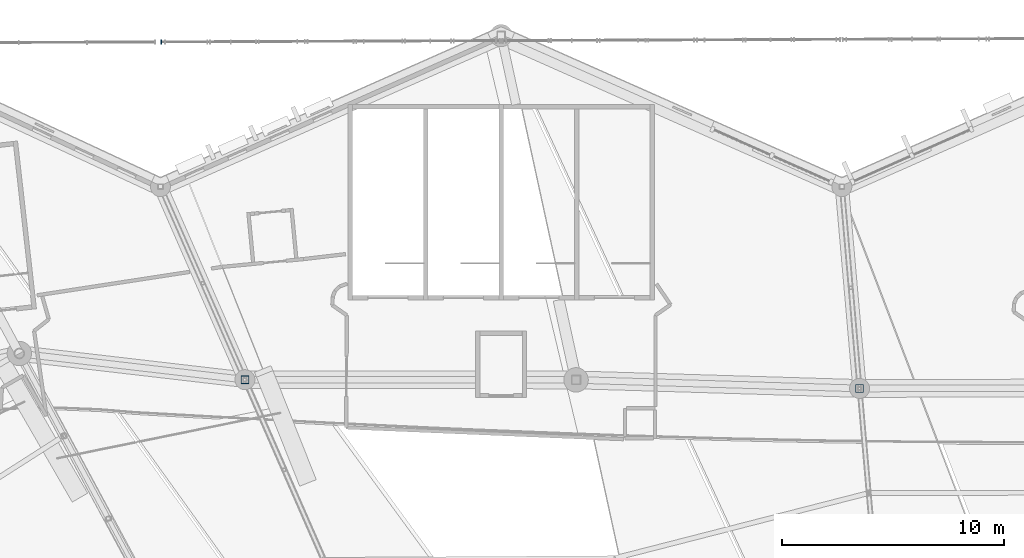
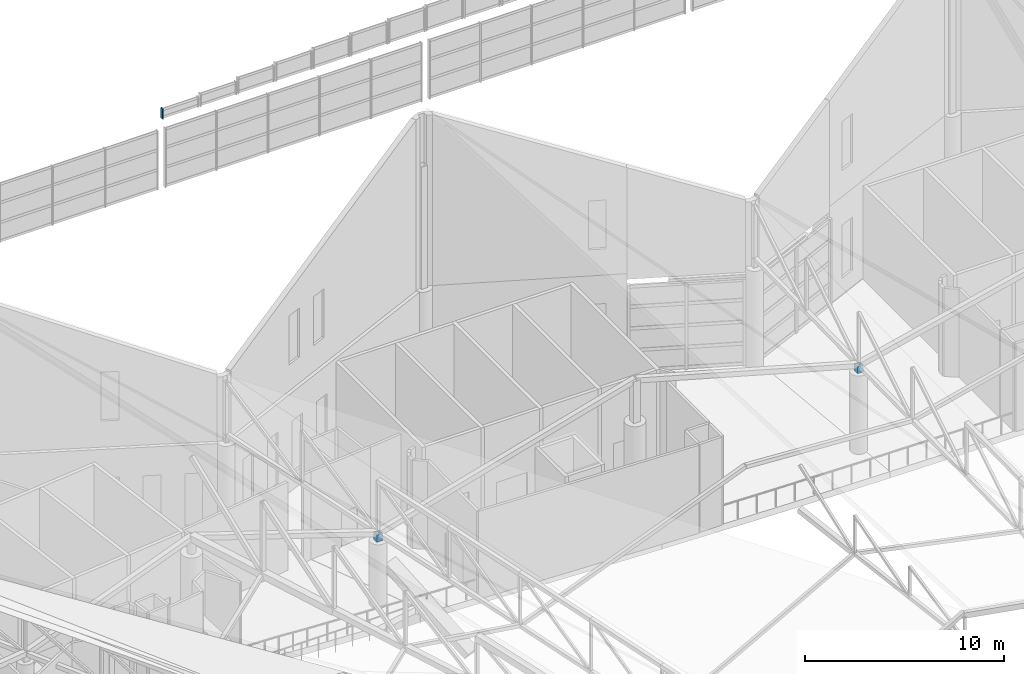
# One storey, part 219 of 344: 3 members, 1 element without a shape of its own.
"""IFC4 building model written with IfcOpenShell, lengths in metres."""

from ifc_helpers import new_model, si_unit, direction, frame, origin, origin_2d, place, context, subcontext, project, spatial, rectangle, hollow_rectangle, extrude, material, layer, layer_set, material_profile, profile_set, type_object, element, aggregate, save


model = new_model("IFC4")

# Units and contexts
model_context = context("Model", 3, precision=1e-05, world=origin(), true_north=direction((0.0, 1.0)))
body_context = subcontext(model_context, "Body", "Model", "MODEL_VIEW")
ifc_project = project(units=[si_unit("LENGTHUNIT", "METRE"), si_unit("AREAUNIT", "SQUARE_METRE"), si_unit("VOLUMEUNIT", "CUBIC_METRE"), si_unit("PLANEANGLEUNIT", "RADIAN"), si_unit("MASSUNIT", "GRAM", prefix="KILO")], contexts=[model_context])

# Site, building, storey
site_placement = place(None, origin())
site = spatial("IfcSite", under=ifc_project, at=site_placement, CompositionType="ELEMENT")
building_placement = place(site_placement, origin())
building = spatial("IfcBuilding", under=site, at=building_placement, Name="Meseta Stadium", CompositionType="ELEMENT")
storey_placement = place(building_placement, frame((0.0, 0.0, 24.0)))
storey = spatial("IfcBuildingStorey", under=building, at=storey_placement, Name="L04", CompositionType="ELEMENT", Elevation=24.0)

# Curtain wall, member
ifc_material_1 = material(Name="Aluminium", Category="aluminium")
ifc_layer = layer(ifc_material_1, 0.199951171875)
ifc_layer_set = layer_set([ifc_layer], Name="Gable glazing curtain wall")
curtain_wall_type = type_object("IfcCurtainWallType", Name="Gable glazing curtain wall", PredefinedType="NOTDEFINED", material=ifc_layer_set)
curtain_wall_placement = place(storey_placement, origin())
curtain_wall = element("IfcCurtainWall", 1, at=curtain_wall_placement, inside=storey, type_object=curtain_wall_type, Name="Gable glazing north bay 35", PredefinedType="NOTDEFINED")
ifc_material_2 = material(Name="Aluminium", Category="aluminium")
ifc_material_profile_1 = material_profile(ifc_material_2, rectangle(XDim=0.199951171875, YDim=0.06005859375, at=origin_2d()), Name="CW 200x60")
ifc_profile_set_1 = profile_set([ifc_material_profile_1], Name="Aluminium")
member_type_1 = type_object("IfcMemberType", Name="CW mullion 60x200", PredefinedType="MULLION", material=ifc_profile_set_1)
member_1_placement = place(storey_placement, frame((-38.29638671875, 105.105224609375, 21.85498046875), z_axis=(0.0, 0.0, 1.0), x_axis=(0.003847534181, -0.999992598213, 0.0)))
member_1 = element("IfcMember", 2, at=member_1_placement, type_object=member_type_1, Name="CWG mullion 2", PredefinedType="MULLION", context=body_context, shape_type="SweptSolid", body=[
    extrude(rectangle(XDim=0.199951171875, YDim=0.06005859375, at=origin_2d()), origin(), (0.0, 0.0, 1.0), 0.623779296875),
])
aggregate(curtain_wall, [member_1])

# Members
ifc_material_3 = material(Name="Steel S355", Category="steel")
ifc_material_profile_2 = material_profile(ifc_material_3, hollow_rectangle(XDim=0.35009765625, YDim=0.35009765625, WallThickness=0.010009765625, at=origin_2d()), Name="SHS 350x350x10")
ifc_profile_set_2 = profile_set([ifc_material_profile_2], Name="Steel S355")
member_type_2 = type_object("IfcMemberType", Name="SHS 350x350x10 pedestal", PredefinedType="POST", material=ifc_profile_set_2)
member_2_placement = place(storey_placement, frame((-6.870849609375, 89.517822265625, 4.800048828125), z_axis=(0.0, 0.0, 1.0), x_axis=(1.0, 0.0, 0.0)))
element("IfcMember", 3, at=member_2_placement, inside=storey, type_object=member_type_2, Name="ROOF TRUSS RT-19 pedestal", PredefinedType="POST", context=body_context, shape_type="SweptSolid", body=[
    extrude(hollow_rectangle(XDim=0.35009765625, YDim=0.35009765625, WallThickness=0.010009765625, at=origin_2d()), origin(), (0.0, 0.0, 1.0), 0.41259765625),
])
member_3_placement = place(storey_placement, frame((-34.53076171875, 89.911865234375, 3.89990234375), z_axis=(0.0, 0.0, 1.0), x_axis=(1.0, 0.0, 0.0)))
element("IfcMember", 4, at=member_3_placement, inside=storey, type_object=member_type_2, Name="ROOF TRUSS RT-21 pedestal", PredefinedType="POST", context=body_context, shape_type="SweptSolid", body=[
    extrude(hollow_rectangle(XDim=0.35009765625, YDim=0.35009765625, WallThickness=0.010009765625, at=origin_2d()), origin(), (0.0, 0.0, 1.0), 0.438232421875),
])

save(model, "model.ifc")
